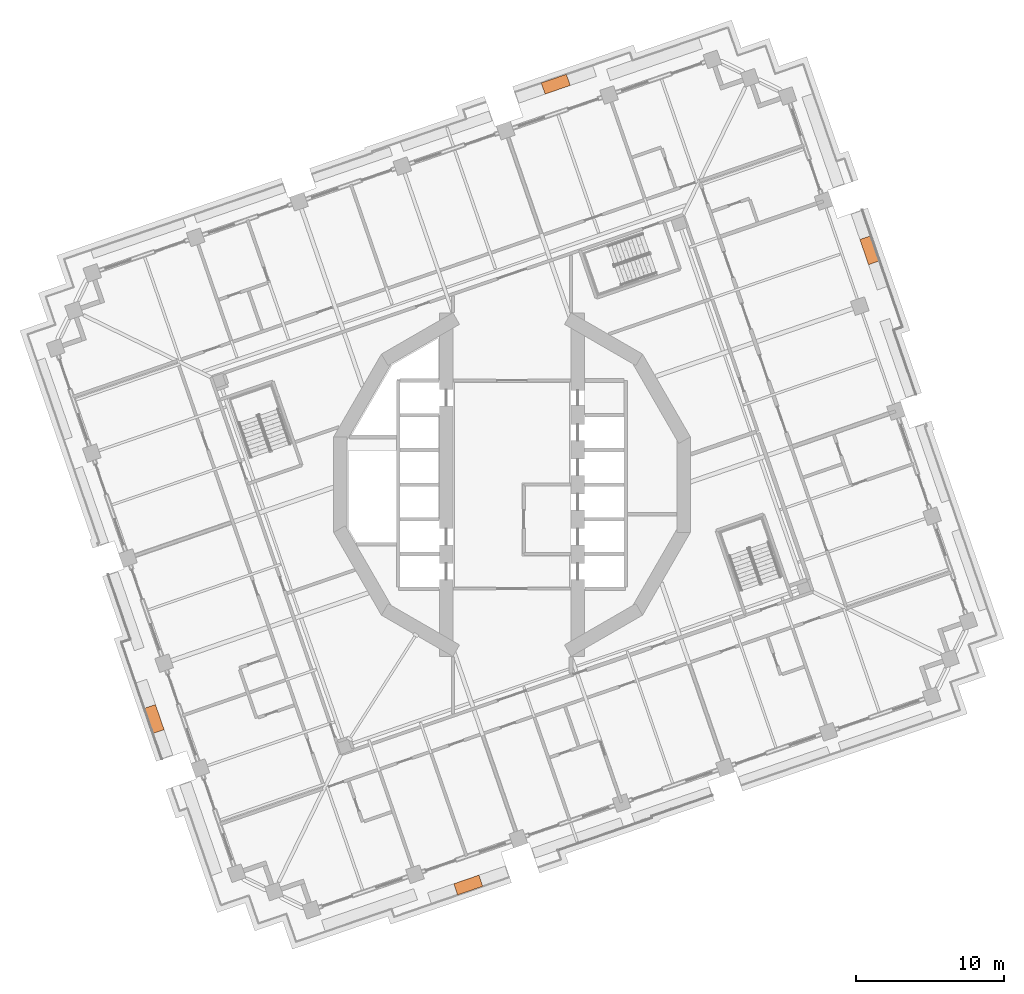
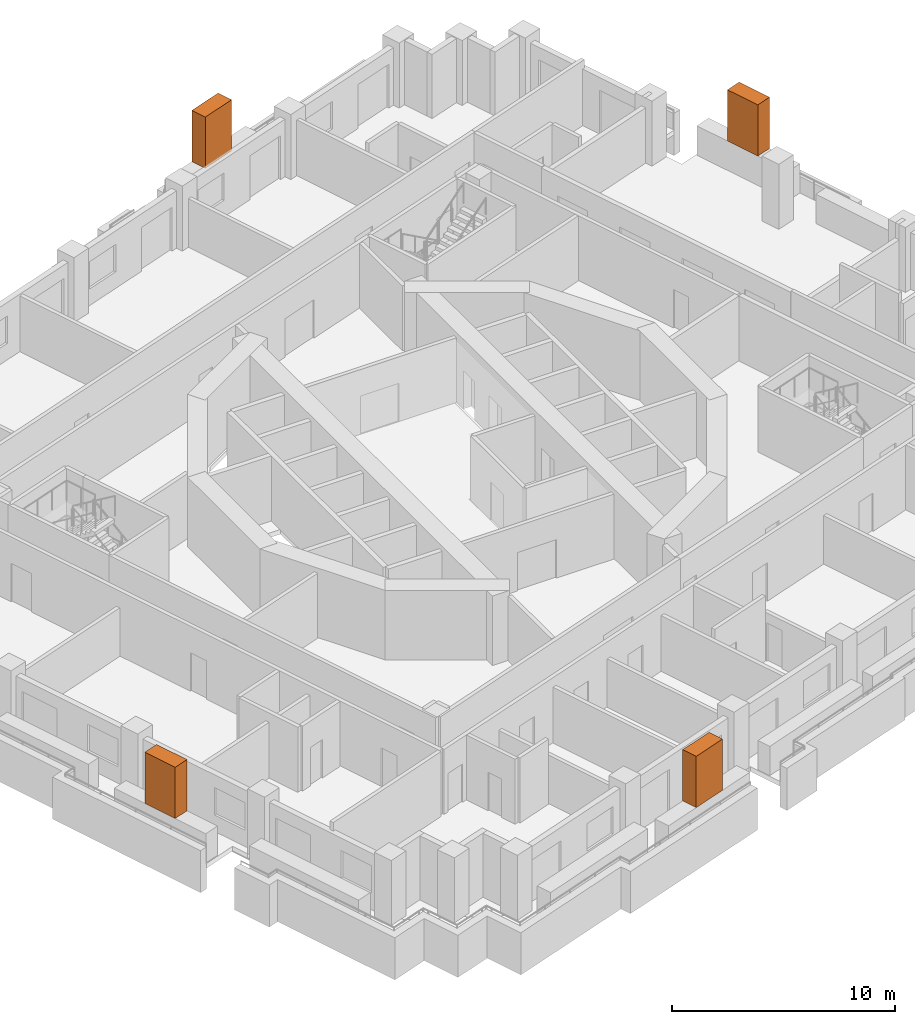
# One storey, part 19 of 19: 4 proxies.
"""IFC4 building model written with IfcOpenShell, lengths in metres."""

from ifc_helpers import new_model, si_unit, direction, frame, origin, origin_2d, place, context, subcontext, project, spatial, rectangle, extrude, element, save


model = new_model("IFC4")

# Units and contexts
model_context = context("Model", 3, precision=1e-05, world=origin(), true_north=direction((0.0, 1.0)))
body_context = subcontext(model_context, "Body", "Model", "MODEL_VIEW")
ifc_project = project(units=[si_unit("LENGTHUNIT", "METRE"), si_unit("AREAUNIT", "SQUARE_METRE"), si_unit("VOLUMEUNIT", "CUBIC_METRE"), si_unit("PLANEANGLEUNIT", "RADIAN"), si_unit("MASSUNIT", "GRAM", prefix="KILO")], contexts=[model_context])

# Site, building, storey
site_placement = place(None, origin())
site = spatial("IfcSite", under=ifc_project, at=site_placement, CompositionType="ELEMENT")
building_placement = place(site_placement, origin())
building = spatial("IfcBuilding", under=site, at=building_placement, Name="Cantera Rosa Tower", CompositionType="ELEMENT")
storey_placement = place(building_placement, frame((0.0, 0.0, 123.10009765625)))
storey = spatial("IfcBuildingStorey", under=building, at=storey_placement, Name="L25", CompositionType="ELEMENT", Elevation=123.10009765625)

# Proxies
for number, where, z_axis, x_axis, name in (
    (1, (24.223876953125, 15.87109375, 1.60009765625), (0.0, 0.0, 1.0), (-0.325568154457, 0.945518575599, 0.0), "TREE L25-04"),
    (2, (2.960205078125, 27.109375, 1.60009765625), (0.0, 0.0, 1.0), (-0.945518575599, -0.325568154457, 0.0), "TREE L25-07"),
    (3, (-24.223876953125, -15.87109375, 1.60009765625), (0.0, 0.0, 1.0), (0.325568154457, -0.945518575599, 0.0), "TREE L25-15"),
    (4, (-2.960205078125, -27.109375, 1.60009765625), (0.0, 0.0, 1.0), (0.945518575599, 0.325568154457, 0.0), "TREE L25-18"),
):
    element("IfcBuildingElementProxy", number, at=place(storey_placement, frame(where, z_axis=z_axis, x_axis=x_axis)), inside=storey, Name=name, ObjectType="TREE", PredefinedType="USERDEFINED", context=body_context, shape_type="SweptSolid", body=[
        extrude(rectangle(XDim=1.800048828125, YDim=0.800048828125, at=origin_2d()), origin(), (0.0, 0.0, 1.0), 2.800048828125),
    ])

save(model, "model.ifc")
